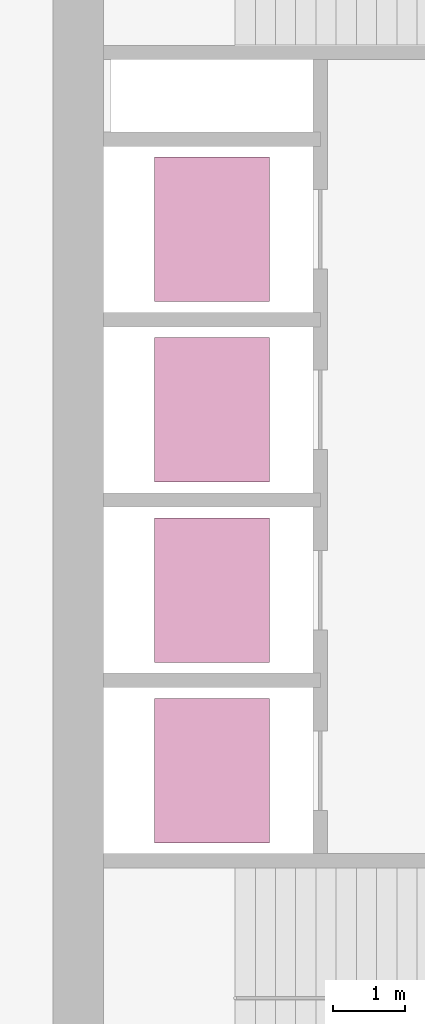
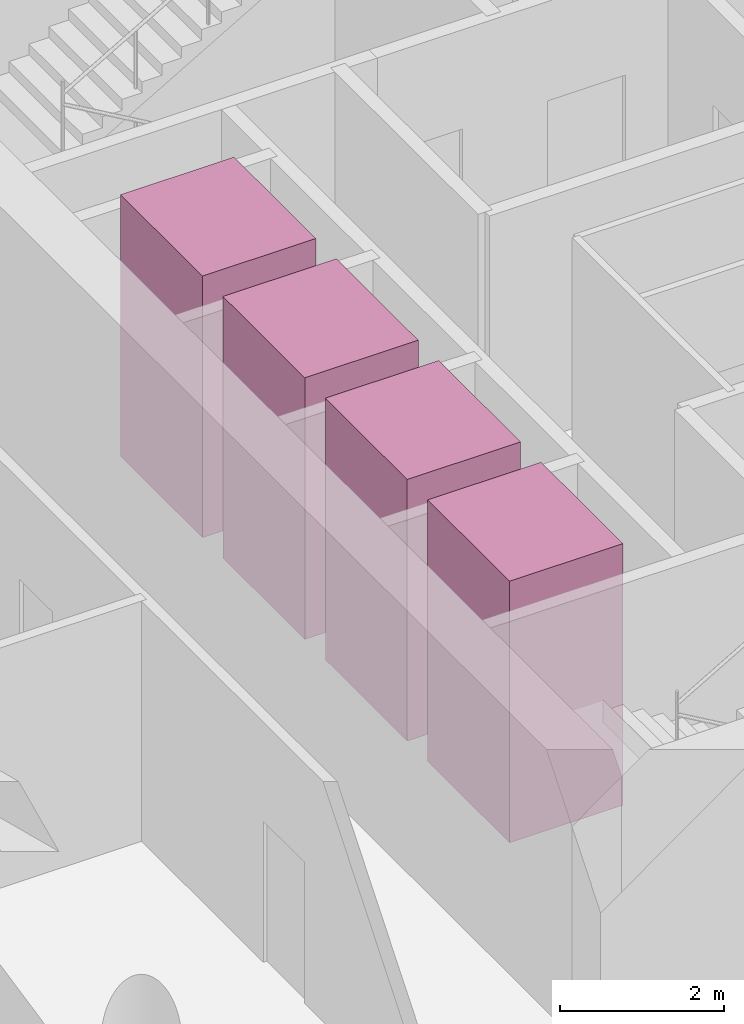
# One storey, part 9 of 9: 4 transport elements.
"""IFC4 building model written with IfcOpenShell, lengths in metres."""

import ifcopenshell
import ifcopenshell.guid

model = None  # the IFC model being written
_history = None  # IfcOwnerHistory: only IFC2X3 demands one
_inside = {}  # id of a spatial element -> (the spatial element, [elements in it])
_under = {}  # id of a project, library or spatial element -> (it, [spatial elements below it])
_declared = {}  # id of a project -> (the project, [libraries it declares])
_typed = {}  # id of a type object -> (the type object, [elements of that type])
_made_of = {}  # id of a material, layer set ... -> (it, [elements and type objects made of it])


def new_model(schema):
    """Start an empty IFC model of exactly this schema.

    Asked for "IFC4X3", IfcOpenShell would pick the latest addendum, in which some entities
    have other attributes; the version numbers below select the first issue.
    IFC2X3 requires an IfcOwnerHistory on every rooted entity: one is made here for all.
    """
    global model, _history
    if schema == "IFC4X3":
        model = ifcopenshell.file(schema_version=(4, 3, 0, 0))
    else:
        model = ifcopenshell.file(schema=schema)
    _inside.clear()
    _under.clear()
    _declared.clear()
    _typed.clear()
    _made_of.clear()
    _history = None
    if model.schema == "IFC2X3":
        org = make("IfcOrganization", Name="unknown")
        user = make(
            "IfcPersonAndOrganization",
            ThePerson=make("IfcPerson", FamilyName="unknown"),
            TheOrganization=org,
        )
        app = make(
            "IfcApplication",
            ApplicationDeveloper=org,
            Version="unknown",
            ApplicationFullName="unknown",
            ApplicationIdentifier="unknown",
        )
        _history = make(
            "IfcOwnerHistory",
            OwningUser=user,
            OwningApplication=app,
            ChangeAction="ADDED",
            CreationDate=0,
        )
    return model


def make(cls, **values):
    """One entity of the class cls with the attributes given. An attribute that is None is left unset."""
    return model.create_entity(
        cls, **{name: value for name, value in values.items() if value is not None}
    )


def rooted(cls, **values):
    """An entity with a GlobalId (a new one), such as an element, a storey or a relation."""
    return make(cls, GlobalId=ifcopenshell.guid.new(), OwnerHistory=_history, **values)


def si_unit(unit_type, name, prefix=None):
    """IfcSIUnit, for example si_unit("LENGTHUNIT", "METRE", prefix="MILLI")."""
    return make("IfcSIUnit", UnitType=unit_type, Prefix=prefix, Name=name)


def assignment(units):
    """IfcUnitAssignment: the units of a project."""
    return None if units is None else make("IfcUnitAssignment", Units=units)


def point(xyz):
    """IfcCartesianPoint."""
    return None if xyz is None else make("IfcCartesianPoint", Coordinates=xyz)


def direction(xyz):
    """IfcDirection."""
    return None if xyz is None else make("IfcDirection", DirectionRatios=xyz)


def frame(location, z_axis=None, x_axis=None):
    """IfcAxis2Placement3D, a coordinate frame: its origin and axes. An axis left out is left unset."""
    return make(
        "IfcAxis2Placement3D",
        Location=point(location),
        Axis=direction(z_axis),
        RefDirection=direction(x_axis),
    )


def frame_2d(location, x_axis=None):
    """IfcAxis2Placement2D, a coordinate frame in the plane: its origin and x axis."""
    return make(
        "IfcAxis2Placement2D", Location=point(location), RefDirection=direction(x_axis)
    )


def origin():
    """The frame at (0, 0, 0) with its axes left unset."""
    return frame((0.0, 0.0, 0.0))


def origin_2d():
    """The frame at (0, 0) in the plane with its x axis left unset."""
    return frame_2d((0.0, 0.0))


def place(relative_to, where):
    """IfcLocalPlacement: puts the frame where relative to a parent placement (None: the world)."""
    return make(
        "IfcLocalPlacement", PlacementRelTo=relative_to, RelativePlacement=where
    )


def context(
    kind, dimensions, precision=None, world=None, true_north=None, identifier=None
):
    """IfcGeometricRepresentationContext, for example the 3D "Model" context."""
    return make(
        "IfcGeometricRepresentationContext",
        ContextIdentifier=identifier,
        ContextType=kind,
        CoordinateSpaceDimension=dimensions,
        Precision=precision,
        WorldCoordinateSystem=world,
        TrueNorth=true_north,
    )


def subcontext(parent, identifier, kind, view, scale=None):
    """IfcGeometricRepresentationSubContext, for example "Body" below "Model"."""
    return make(
        "IfcGeometricRepresentationSubContext",
        ContextIdentifier=identifier,
        ContextType=kind,
        ParentContext=parent,
        TargetScale=scale,
        TargetView=view,
    )


def project(units=None, contexts=None):
    """IfcProject with its units and contexts."""
    return rooted(
        "IfcProject",
        Name="project",
        RepresentationContexts=contexts,
        UnitsInContext=assignment(units),
    )


def spatial(cls, under=None, at=None, **own):
    """A site, building, storey or space (cls), placed at a placement, below another one or the project."""
    s = rooted(cls, ObjectPlacement=at, **own)
    if under is not None:
        _under.setdefault(under.id(), (under, []))[1].append(s)
    return s


def profile(cls, at=None, kind="AREA", **sizes):
    """A parametric profile (cls). Its sizes go by their IFC names, for example OverallWidth=200.0."""
    return make(cls, ProfileType=kind, Position=at, **sizes)


def rectangle(**sizes):
    """IfcRectangleProfileDef."""
    return profile("IfcRectangleProfileDef", **sizes)


def extrude(swept, where, along, depth):
    """IfcExtrudedAreaSolid: the profile swept, set in the frame where, extruded along a direction by depth."""
    return make(
        "IfcExtrudedAreaSolid",
        SweptArea=swept,
        Position=where,
        ExtrudedDirection=direction(along),
        Depth=depth,
    )


def shape(context_of_items, identifier, shape_type, items):
    """IfcShapeRepresentation: the items that make up one representation, for example the "Body"."""
    return make(
        "IfcShapeRepresentation",
        ContextOfItems=context_of_items,
        RepresentationIdentifier=identifier,
        RepresentationType=shape_type,
        Items=items,
    )


def material(Name=None, Category=None):
    """IfcMaterial."""
    return make("IfcMaterial", Name=Name, Category=Category)


def made_of(thing, what):
    """Note that an element or type object is made of a material, layer set ...; save() writes the relation."""
    if what is not None:
        _made_of.setdefault(what.id(), (what, []))[1].append(thing)
    return thing


def type_object(cls, material=None, **own):
    """A type object (cls), such as IfcWallType, which elements share."""
    return made_of(rooted(cls, **own), material)


def element(
    cls,
    number,
    at=None,
    inside=None,
    cuts=None,
    type_object=None,
    material=None,
    context=None,
    identifier="Body",
    shape_type=None,
    held_by="IfcProductDefinitionShape",
    body=None,
    shapes=None,
    **own,
):
    """One element of the class cls, such as IfcWall. Its Tag is "e" and its number.

    at: its placement. inside: the storey or other place that contains it. cuts: it is an
    opening in that element (IfcRelVoidsElement). A single representation is given by context,
    identifier, shape_type and body (its items); several are given by shapes. held_by: the class
    of the entity that holds the representations. save() writes the other relations.
    """
    e = rooted(cls, Tag="e%d" % number, ObjectPlacement=at, **own)
    if body is not None:
        shapes = [shape(context, identifier, shape_type, body)]
    if shapes is not None:
        e.Representation = make(held_by, Representations=shapes)
    if inside is not None:
        _inside.setdefault(inside.id(), (inside, []))[1].append(e)
    if cuts is not None:
        rooted(
            "IfcRelVoidsElement", RelatingBuildingElement=cuts, RelatedOpeningElement=e
        )
    if type_object is not None:
        _typed.setdefault(type_object.id(), (type_object, []))[1].append(e)
    return made_of(e, material)


def aggregate(whole, parts):
    """IfcRelAggregates: a whole, such as a stair, and the parts it consists of."""
    return rooted("IfcRelAggregates", RelatingObject=whole, RelatedObjects=parts)


def save(model, path):
    """Write the relations noted so far, then the file.

    IfcRelAggregates (storeys below a building ...), IfcRelContainedInSpatialStructure (elements
    in a storey), IfcRelDefinesByType, IfcRelAssociatesMaterial and IfcRelDeclares: one each for
    every whole, place, type object, material and project.
    """
    for whole, parts in _under.values():
        aggregate(whole, parts)
    for where, things in _inside.values():
        rooted(
            "IfcRelContainedInSpatialStructure",
            RelatedElements=things,
            RelatingStructure=where,
        )
    for kind, things in _typed.values():
        rooted("IfcRelDefinesByType", RelatedObjects=things, RelatingType=kind)
    for what, things in _made_of.values():
        rooted("IfcRelAssociatesMaterial", RelatedObjects=things, RelatingMaterial=what)
    for by, libraries in _declared.values():
        rooted("IfcRelDeclares", RelatingContext=by, RelatedDefinitions=libraries)
    model.write(path)


model = new_model("IFC4")

# Units and contexts
model_context = context("Model", 3, precision=1e-05, world=origin(), true_north=direction((0.0, 1.0)))
body_context = subcontext(model_context, "Body", "Model", "MODEL_VIEW")
ifc_project = project(units=[si_unit("LENGTHUNIT", "METRE"), si_unit("AREAUNIT", "SQUARE_METRE"), si_unit("VOLUMEUNIT", "CUBIC_METRE"), si_unit("PLANEANGLEUNIT", "RADIAN"), si_unit("MASSUNIT", "GRAM", prefix="KILO")], contexts=[model_context])

# Site, building, storey
site_placement = place(None, origin())
site = spatial("IfcSite", under=ifc_project, at=site_placement, CompositionType="ELEMENT")
building_placement = place(site_placement, origin())
building = spatial("IfcBuilding", under=site, at=building_placement, Name="Qaws Garden Tower", CompositionType="ELEMENT")
storey_placement = place(building_placement, frame((0.0, 0.0, 221.39990234375)))
storey = spatial("IfcBuildingStorey", under=building, at=storey_placement, Name="L54", CompositionType="ELEMENT", Elevation=221.39990234375)

# Transport elements
ifc_material = material(Name="Stainless steel 316", Category="steel")
transport_element_type = type_object("IfcTransportElementType", Name="Passenger lift car 2000x1600 1800 kg", PredefinedType="ELEVATOR", material=ifc_material)
for number, where, z_axis, x_axis, name in (
    (1, (10.199951171875, 13.64990234375, 0.000244140625), (0.0, 0.0, 1.0), (1.0, 0.0, 0.0), "MR1"),
    (2, (10.199951171875, 16.14990234375, 0.000244140625), (0.0, 0.0, 1.0), (1.0, 0.0, 0.0), "MR2"),
    (3, (10.199951171875, 18.64990234375, 0.000244140625), (0.0, 0.0, 1.0), (1.0, 0.0, 0.0), "MR3"),
    (4, (10.199951171875, 21.14990234375, 0.000244140625), (0.0, 0.0, 1.0), (1.0, 0.0, 0.0), "MR4"),
):
    element("IfcTransportElement", number, at=place(storey_placement, frame(where, z_axis=z_axis, x_axis=x_axis)), inside=storey, type_object=transport_element_type, Name=name, PredefinedType="ELEVATOR", context=body_context, shape_type="SweptSolid", body=[
        extrude(rectangle(XDim=1.60009765625, YDim=2.0, at=origin_2d()), origin(), (0.0, 0.0, 1.0), 3.89990234375),
    ])

save(model, "model.ifc")
